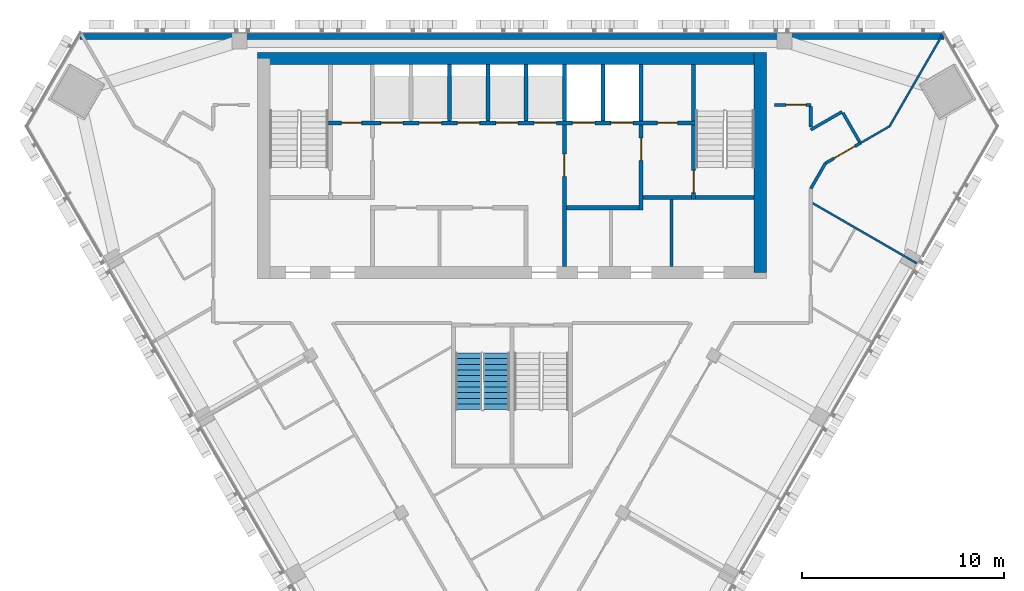
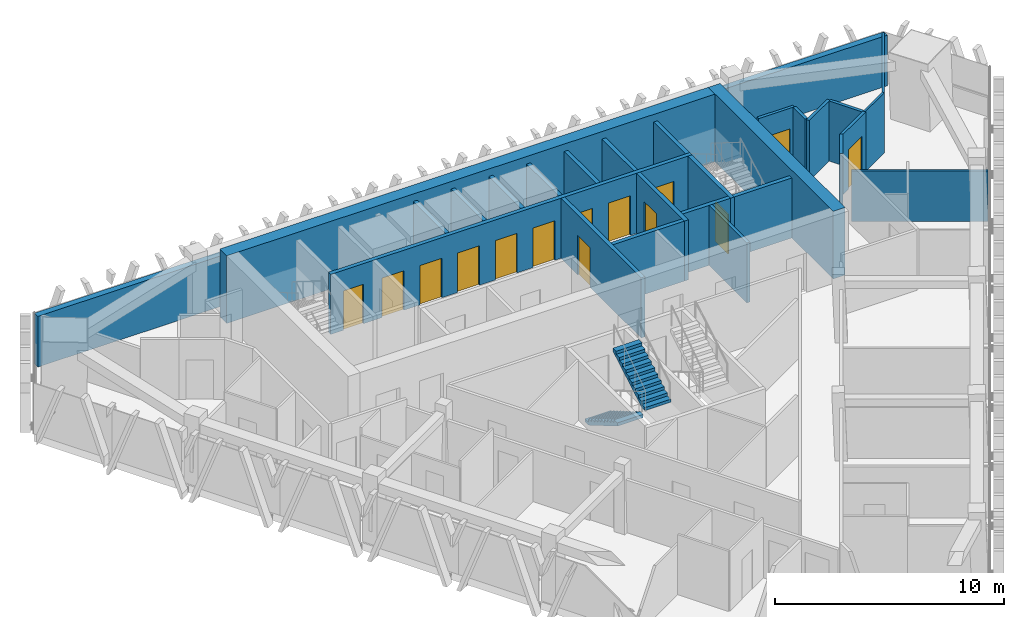
# One storey, part 10 of 14: 27 walls, 14 doors, 2 stair flights, 14 openings, 1 element without a shape of its own.
"""IFC4 building model written with IfcOpenShell, lengths in metres."""

from ifc_helpers import new_model, si_unit, direction, frame, frame_2d, origin, place, context, subcontext, project, spatial, polyline, rectangle, outline, extrude, material, layer, layer_set, type_object, element, fill, aggregate, save


model = new_model("IFC4")

# Units and contexts
model_context = context("Model", 3, precision=1e-05, world=origin(), true_north=direction((0.0, 1.0)))
body_context = subcontext(model_context, "Body", "Model", "MODEL_VIEW")
ifc_project = project(units=[si_unit("LENGTHUNIT", "METRE"), si_unit("AREAUNIT", "SQUARE_METRE"), si_unit("VOLUMEUNIT", "CUBIC_METRE"), si_unit("PLANEANGLEUNIT", "RADIAN"), si_unit("MASSUNIT", "GRAM", prefix="KILO")], contexts=[model_context])

# Site, building, storey
site_placement = place(None, origin())
site = spatial("IfcSite", under=ifc_project, at=site_placement, CompositionType="ELEMENT")
building_placement = place(site_placement, origin())
building = spatial("IfcBuilding", under=site, at=building_placement, Name="Altiplano Prism Tower", CompositionType="ELEMENT")
storey_placement = place(building_placement, frame((0.0, 0.0, 242.800048828125)))
storey = spatial("IfcBuildingStorey", under=building, at=storey_placement, Name="L62", CompositionType="ELEMENT", Elevation=242.800048828125)

# Walls
ifc_material_1 = material(Name="Concrete C60/75", Category="concrete")
ifc_layer_1 = layer(ifc_material_1, 0.60009765625)
ifc_layer_set_1 = layer_set([ifc_layer_1], Name="Concrete C60/75")
wall_type_1 = type_object("IfcWallType", Name="Core wall 600", PredefinedType="SHEAR", material=ifc_layer_set_1)
wall_1_placement = place(storey_placement, frame((97.300048828125, 93.10009765625, 0.0), z_axis=(0.0, 0.0, 1.0), x_axis=(0.0, 1.0, 0.0)))
element("IfcWall", 1, at=wall_1_placement, inside=storey, type_object=wall_type_1, Name="Core wall E L62", PredefinedType="SHEAR", context=body_context, shape_type="SweptSolid", body=[
    extrude(rectangle(XDim=10.89990234375, YDim=0.60009765625, at=frame_2d((5.449951171875, 0.0))), origin(), (0.0, 0.0, 1.0), 3.599853515625),
])
wall_2_placement = place(storey_placement, frame((97.300048828125, 103.699951171875, 0.0), z_axis=(0.0, 0.0, 1.0), x_axis=(-1.0, 0.0, 0.0)))
element("IfcWall", 2, at=wall_2_placement, inside=storey, type_object=wall_type_1, Name="Core wall N L62", PredefinedType="SHEAR", context=body_context, shape_type="SweptSolid", body=[
    extrude(rectangle(XDim=24.900146484375, YDim=0.60009765625, at=frame_2d((12.4501953125, 0.0))), origin(), (0.0, 0.0, 1.0), 3.599853515625),
])
ifc_material_2 = material(Name="Plasterboard on steel stud", Category="steel")
ifc_layer_2 = layer(ifc_material_2, 0.10009765625)
ifc_layer_set_2 = layer_set([ifc_layer_2], Name="Plasterboard on steel stud")
wall_type_2 = type_object("IfcWallType", Name="Partition 100 wet", PredefinedType="PARTITIONING", material=ifc_layer_set_2)
wall_3_placement = place(storey_placement, frame((105.054931640625, 93.54638671875, 0.0), z_axis=(0.0, 0.0, 1.0), x_axis=(-0.866020980388, 0.500007661469, 0.0)))
element("IfcWall", 3, at=wall_3_placement, inside=storey, type_object=wall_type_2, Name="Partition P03 L62 058", PredefinedType="PARTITIONING", context=body_context, shape_type="SweptSolid", body=[
    extrude(rectangle(XDim=5.95263671875, YDim=0.10009765625, at=frame_2d((2.976318359375, 0.0))), origin(), (0.0, 0.0, 1.0), 2.699951171875),
])
wall_4_placement = place(storey_placement, frame((106.33935546875, 104.89990234375, 0.0), z_axis=(0.0, 0.0, 1.0), x_axis=(-0.499995114243, -0.866028224559, 0.0)))
element("IfcWall", 4, at=wall_4_placement, inside=storey, type_object=wall_type_2, Name="Partition P03 L62 059", PredefinedType="PARTITIONING", context=body_context, shape_type="SweptSolid", body=[
    extrude(rectangle(XDim=5.2705078125, YDim=0.10009765625, at=frame_2d((2.63525390625, 0.0))), origin(), (0.0, 0.0, 1.0), 2.699951171875),
])
wall_5_placement = place(storey_placement, frame((103.7041015625, 100.33544921875, 0.0), z_axis=(0.0, 0.0, 1.0), x_axis=(-0.866059082011, -0.499941663064, 0.0)))
element("IfcWall", 5, at=wall_5_placement, inside=storey, type_object=wall_type_2, Name="Partition P03 L62 060", PredefinedType="PARTITIONING", context=body_context, shape_type="SweptSolid", body=[
    extrude(rectangle(XDim=1.671142578125, YDim=0.10009765625, at=frame_2d((0.83544921875, 0.0))), origin(), (0.0, 0.0, 1.0), 3.199951171875),
])
ifc_layer_3 = layer(ifc_material_2, 0.14990234375)
ifc_layer_set_3 = layer_set([ifc_layer_3], Name="Plasterboard on steel stud")
wall_type_3 = type_object("IfcWallType", Name="Partition 150 corridor", PredefinedType="PARTITIONING", material=ifc_layer_set_3)
wall_6_placement = place(storey_placement, frame((99.800048828125, 97.244384765625, 0.0), z_axis=(0.0, 0.0, 1.0), x_axis=(0.499960540515, 0.86604818453, 0.0)))
element("IfcWall", 6, at=wall_6_placement, inside=storey, type_object=wall_type_3, Name="Partition P06 L62 011", PredefinedType="PARTITIONING", context=body_context, shape_type="SweptSolid", body=[
    extrude(rectangle(XDim=1.44970703125, YDim=0.14990234375, at=frame_2d((0.724853515625, 0.0))), origin(), (0.0, 0.0, 1.0), 3.199951171875),
])

# Wall, opening, door
wall_7_placement = place(storey_placement, frame((100.52490234375, 98.5, 0.0), z_axis=(0.0, 0.0, 1.0), x_axis=(0.866010470582, 0.500025864173, 0.0)))
wall_7 = element("IfcWall", 7, at=wall_7_placement, inside=storey, type_object=wall_type_3, Name="Partition P06 L62 012", PredefinedType="PARTITIONING", context=body_context, shape_type="SweptSolid", body=[
    extrude(rectangle(XDim=2.02001953125, YDim=0.14990234375, at=frame_2d((1.010009765625, 0.0))), origin(), (0.0, 0.0, 1.0), 3.199951171875),
])
opening_1_placement = place(wall_7_placement, frame((0.4990234375, 0.0, 0.0)))
opening_1 = element("IfcOpeningElement", 8, at=opening_1_placement, cuts=wall_7, Name="Opening D2042", PredefinedType="OPENING", context=body_context, shape_type="SweptSolid", body=[
    extrude(rectangle(XDim=1.199951171875, YDim=2.10009765625, at=frame_2d((0.60009765625, 1.050048828125))), frame((0.0, 0.08544921875, 0.0), z_axis=(0.0, -1.0, 0.0), x_axis=(1.0, 0.0, 0.0)), (0.0, 0.0, 1.0), 0.1708984375),
])
ifc_material_3 = material(Name="Timber", Category="wood")
door_type_1 = type_object("IfcDoorType", Name="Shared room door 1200 x 2100", OperationType="NOTDEFINED", PredefinedType="NOTDEFINED", material=ifc_material_3)
door_1_placement = place(opening_1_placement, origin())
door_1 = element("IfcDoor", 9, at=door_1_placement, inside=storey, type_object=door_type_1, Name="Door D2042", OperationType="SINGLE_SWING_RIGHT", OverallHeight=2.10009765625, OverallWidth=1.199951171875, PredefinedType="NOTDEFINED", context=body_context, shape_type="SweptSolid", body=[
    extrude(rectangle(XDim=1.199951171875, YDim=2.10009765625, at=frame_2d((0.60009765625, 1.050048828125))), frame((0.0, 0.02490234375, 0.0), z_axis=(0.0, -1.0, 0.0), x_axis=(1.0, 0.0, 0.0)), (0.0, 0.0, 1.0), 0.050048828125),
])
fill(opening_1, door_1)

# Walls
wall_8_placement = place(storey_placement, frame((102.219482421875, 99.56494140625, 0.0), z_axis=(0.0, 0.0, 1.0), x_axis=(-0.499974350878, 0.866040211805, 0.0)))
element("IfcWall", 10, at=wall_8_placement, inside=storey, type_object=wall_type_3, Name="Partition P06 L62 017", PredefinedType="PARTITIONING", context=body_context, shape_type="SweptSolid", body=[
    extrude(rectangle(XDim=1.64990234375, YDim=0.14990234375, at=frame_2d((0.824951171875, 0.0))), origin(), (0.0, 0.0, 1.0), 3.199951171875),
])
wall_9_placement = place(storey_placement, frame((101.35693359375, 101.058837890625, 0.0), z_axis=(0.0, 0.0, 1.0), x_axis=(-0.866011447264, -0.500024172624, 0.0)))
element("IfcWall", 11, at=wall_9_placement, inside=storey, type_object=wall_type_3, Name="Partition P06 L62 018", PredefinedType="PARTITIONING", context=body_context, shape_type="SweptSolid", body=[
    extrude(rectangle(XDim=1.7978515625, YDim=0.14990234375, at=frame_2d((0.89892578125, 0.0))), origin(), (0.0, 0.0, 1.0), 3.199951171875),
])
wall_10_placement = place(storey_placement, frame((99.800048828125, 100.289794921875, 0.0), z_axis=(0.0, 0.0, 1.0), x_axis=(0.0, 1.0, 0.0)))
element("IfcWall", 12, at=wall_10_placement, inside=storey, type_object=wall_type_3, Name="Partition P06 L62 019", PredefinedType="PARTITIONING", context=body_context, shape_type="SweptSolid", body=[
    extrude(rectangle(XDim=1.03515625, YDim=0.14990234375, at=frame_2d((0.517578125, 0.0))), origin(), (0.0, 0.0, 1.0), 3.199951171875),
])

# Wall, opening, door
wall_11_placement = place(storey_placement, frame((99.800048828125, 101.39990234375, 0.0), z_axis=(0.0, 0.0, 1.0), x_axis=(-1.0, 0.0, 0.0)))
wall_11 = element("IfcWall", 13, at=wall_11_placement, inside=storey, type_object=wall_type_3, Name="Partition P06 L62 020", PredefinedType="PARTITIONING", context=body_context, shape_type="SweptSolid", body=[
    extrude(rectangle(XDim=1.800048828125, YDim=0.14990234375, at=frame_2d((0.89990234375, 0.0))), origin(), (0.0, 0.0, 1.0), 3.199951171875),
])
opening_2_placement = place(wall_11_placement, frame((0.23388671875, 0.0, 0.0)))
opening_2 = element("IfcOpeningElement", 14, at=opening_2_placement, cuts=wall_11, Name="Opening D2044", PredefinedType="OPENING", context=body_context, shape_type="SweptSolid", body=[
    extrude(rectangle(XDim=1.0, YDim=2.10009765625, at=frame_2d((0.5, 1.050048828125))), frame((0.0, 0.08544921875, 0.0), z_axis=(0.0, -1.0, 0.0), x_axis=(1.0, 0.0, 0.0)), (0.0, 0.0, 1.0), 0.1708984375),
])
door_type_2 = type_object("IfcDoorType", Name="Room door 1000 x 2100", OperationType="NOTDEFINED", PredefinedType="NOTDEFINED", material=ifc_material_3)
door_2_placement = place(opening_2_placement, origin())
door_2 = element("IfcDoor", 15, at=door_2_placement, inside=storey, type_object=door_type_2, Name="Door D2044", OperationType="SINGLE_SWING_RIGHT", OverallHeight=2.10009765625, OverallWidth=1.0, PredefinedType="NOTDEFINED", context=body_context, shape_type="SweptSolid", body=[
    extrude(rectangle(XDim=1.0, YDim=2.10009765625, at=frame_2d((0.5, 1.050048828125))), frame((0.0, 0.02490234375, 0.0), z_axis=(0.0, -1.0, 0.0), x_axis=(1.0, 0.0, 0.0)), (0.0, 0.0, 1.0), 0.050048828125),
])
fill(opening_2, door_2)

# Walls
ifc_material_4 = material(Name="Fire-rated gypsum board partition")
ifc_layer_4 = layer(ifc_material_4, 0.14990234375)
ifc_layer_set_4 = layer_set([ifc_layer_4], Name="Fire-rated gypsum board partition")
wall_type_4 = type_object("IfcWallType", Name="Room partition 150", PredefinedType="PARTITIONING", material=ifc_layer_set_4)
wall_12_placement = place(storey_placement, frame((92.89990234375, 93.39990234375, 0.0), z_axis=(0.0, 0.0, 1.0), x_axis=(0.0, 1.0, 0.0)))
element("IfcWall", 16, at=wall_12_placement, inside=storey, type_object=wall_type_4, Name="Room partition L62", PredefinedType="PARTITIONING", context=body_context, shape_type="SweptSolid", body=[
    extrude(rectangle(XDim=3.300048828125, YDim=0.14990234375, at=frame_2d((1.64990234375, 0.0))), origin(), (0.0, 0.0, 1.0), 3.199951171875),
])
ifc_layer_5 = layer(ifc_material_1, 0.199951171875)
ifc_layer_set_5 = layer_set([ifc_layer_5], Name="Concrete C60/75")
wall_type_5 = type_object("IfcWallType", Name="Shaft wall 200", PredefinedType="SOLIDWALL", material=ifc_layer_set_5)
for number, where, z_axis, x_axis, name in (
    (17, (81.89990234375, 100.60009765625, 0.0), (0.0, 0.0, 1.0), (0.0, 1.0, 0.0), "Shaft wall L62"),
    (18, (83.800048828125, 100.60009765625, 0.0), (0.0, 0.0, 1.0), (0.0, 1.0, 0.0), "Shaft wall L62"),
    (19, (85.699951171875, 100.60009765625, 0.0), (0.0, 0.0, 1.0), (0.0, 1.0, 0.0), "Shaft wall L62"),
    (20, (87.60009765625, 100.60009765625, 0.0), (0.0, 0.0, 1.0), (0.0, 1.0, 0.0), "Shaft wall L62"),
    (21, (89.5, 100.60009765625, 0.0), (0.0, 0.0, 1.0), (0.0, 1.0, 0.0), "Shaft wall L62"),
    (22, (91.39990234375, 100.60009765625, 0.0), (0.0, 0.0, 1.0), (0.0, 1.0, 0.0), "Shaft wall L62"),
):
    element("IfcWall", number, at=place(storey_placement, frame(where, z_axis=z_axis, x_axis=x_axis)), inside=storey, type_object=wall_type_5, Name=name, PredefinedType="SOLIDWALL", context=body_context, shape_type="SweptSolid", body=[
        extrude(rectangle(XDim=2.7998046875, YDim=0.199951171875, at=frame_2d((1.39990234375, 0.0))), origin(), (0.0, 0.0, 1.0), 3.199951171875),
    ])

# Wall, opening, door
ifc_layer_6 = layer(ifc_material_1, 0.199951171875)
ifc_layer_set_6 = layer_set([ifc_layer_6], Name="Concrete C60/75")
wall_type_6 = type_object("IfcWallType", Name="Stair wall 200", PredefinedType="SOLIDWALL", material=ifc_layer_set_6)
wall_13_placement = place(storey_placement, frame((94.0, 96.699951171875, 0.0), z_axis=(0.0, 0.0, 1.0), x_axis=(0.0, 1.0, 0.0)))
wall_13 = element("IfcWall", 23, at=wall_13_placement, inside=storey, type_object=wall_type_6, Name="Stair wall L62", PredefinedType="SOLIDWALL", context=body_context, shape_type="SweptSolid", body=[
    extrude(rectangle(XDim=3.699951171875, YDim=0.199951171875, at=frame_2d((1.85009765625, 0.0))), origin(), (0.0, 0.0, 1.0), 3.199951171875),
])
opening_3_placement = place(wall_13_placement, frame((0.35009765625, 0.0, 0.0)))
opening_3 = element("IfcOpeningElement", 24, at=opening_3_placement, cuts=wall_13, Name="Opening D3443", PredefinedType="OPENING", context=body_context, shape_type="SweptSolid", body=[
    extrude(rectangle(XDim=1.10009765625, YDim=2.10009765625, at=frame_2d((0.550048828125, 1.050048828125))), frame((0.0, 0.1103515625, 0.0), z_axis=(0.0, -1.0, 0.0), x_axis=(1.0, 0.0, 0.0)), (0.0, 0.0, 1.0), 0.220947265625),
])
ifc_material_5 = material(Name="Fire-rated steel door", Category="steel")
door_type_3 = type_object("IfcDoorType", Name="Stair fire door 1100 x 2100", OperationType="NOTDEFINED", PredefinedType="NOTDEFINED", material=ifc_material_5)
door_3_placement = place(opening_3_placement, origin())
door_3 = element("IfcDoor", 25, at=door_3_placement, inside=storey, type_object=door_type_3, Name="Stair fire door D3443", OperationType="SINGLE_SWING_LEFT", OverallHeight=2.10009765625, OverallWidth=1.10009765625, PredefinedType="NOTDEFINED", context=body_context, shape_type="SweptSolid", body=[
    extrude(rectangle(XDim=1.10009765625, YDim=2.10009765625, at=frame_2d((0.550048828125, 1.050048828125))), frame((0.0, 0.02490234375, 0.0), z_axis=(0.0, -1.0, 0.0), x_axis=(1.0, 0.0, 0.0)), (0.0, 0.0, 1.0), 0.050048828125),
])
fill(opening_3, door_3)

# Wall
wall_14_placement = place(storey_placement, frame((94.10009765625, 96.800048828125, 0.0), z_axis=(0.0, 0.0, 1.0), x_axis=(1.0, 0.0, 0.0)))
element("IfcWall", 26, at=wall_14_placement, inside=storey, type_object=wall_type_6, Name="Stair wall L62", PredefinedType="SOLIDWALL", context=body_context, shape_type="SweptSolid", body=[
    extrude(rectangle(XDim=2.89990234375, YDim=0.199951171875, at=frame_2d((1.449951171875, 0.0))), origin(), (0.0, 0.0, 1.0), 3.199951171875),
])

# Wall, openings, doors
wall_15_placement = place(storey_placement, frame((75.89990234375, 100.5, 0.0), z_axis=(0.0, 0.0, 1.0), x_axis=(1.0, 0.0, 0.0)))
wall_15 = element("IfcWall", 27, at=wall_15_placement, inside=storey, type_object=wall_type_6, Name="Stair wall L62", PredefinedType="SOLIDWALL", context=body_context, shape_type="SweptSolid", body=[
    extrude(rectangle(XDim=18.2001953125, YDim=0.199951171875, at=frame_2d((9.10009765625, 0.0))), origin(), (0.0, 0.0, 1.0), 3.199951171875),
])
opening_4_placement = place(wall_15_placement, frame((2.60009765625, 0.0, 0.0)))
opening_4 = element("IfcOpeningElement", 28, at=opening_4_placement, cuts=wall_15, Name="Opening LD-HL1-L62", PredefinedType="OPENING", context=body_context, shape_type="SweptSolid", body=[
    extrude(rectangle(XDim=1.10009765625, YDim=2.10009765625, at=frame_2d((0.550048828125, 1.050048828125))), frame((0.0, 0.1103515625, 0.0), z_axis=(0.0, -1.0, 0.0), x_axis=(1.0, 0.0, 0.0)), (0.0, 0.0, 1.0), 0.220947265625),
])
opening_5_placement = place(wall_15_placement, frame((4.5, 0.0, 0.0)))
opening_5 = element("IfcOpeningElement", 29, at=opening_5_placement, cuts=wall_15, Name="Opening LD-HL2-L62", PredefinedType="OPENING", context=body_context, shape_type="SweptSolid", body=[
    extrude(rectangle(XDim=1.10009765625, YDim=2.10009765625, at=frame_2d((0.550048828125, 1.050048828125))), frame((0.0, 0.1103515625, 0.0), z_axis=(0.0, -1.0, 0.0), x_axis=(1.0, 0.0, 0.0)), (0.0, 0.0, 1.0), 0.220947265625),
])
opening_6_placement = place(wall_15_placement, frame((6.39990234375, 0.0, 0.0)))
opening_6 = element("IfcOpeningElement", 30, at=opening_6_placement, cuts=wall_15, Name="Opening LD-HL3-L62", PredefinedType="OPENING", context=body_context, shape_type="SweptSolid", body=[
    extrude(rectangle(XDim=1.10009765625, YDim=2.10009765625, at=frame_2d((0.550048828125, 1.050048828125))), frame((0.0, 0.1103515625, 0.0), z_axis=(0.0, -1.0, 0.0), x_axis=(1.0, 0.0, 0.0)), (0.0, 0.0, 1.0), 0.220947265625),
])
opening_7_placement = place(wall_15_placement, frame((8.300048828125, 0.0, 0.0)))
opening_7 = element("IfcOpeningElement", 31, at=opening_7_placement, cuts=wall_15, Name="Opening LD-HL4-L62", PredefinedType="OPENING", context=body_context, shape_type="SweptSolid", body=[
    extrude(rectangle(XDim=1.10009765625, YDim=2.10009765625, at=frame_2d((0.550048828125, 1.050048828125))), frame((0.0, 0.1103515625, 0.0), z_axis=(0.0, -1.0, 0.0), x_axis=(1.0, 0.0, 0.0)), (0.0, 0.0, 1.0), 0.220947265625),
])
opening_8_placement = place(wall_15_placement, frame((10.199951171875, 0.0, 0.0)))
opening_8 = element("IfcOpeningElement", 32, at=opening_8_placement, cuts=wall_15, Name="Opening LD-HL5-L62", PredefinedType="OPENING", context=body_context, shape_type="SweptSolid", body=[
    extrude(rectangle(XDim=1.10009765625, YDim=2.10009765625, at=frame_2d((0.550048828125, 1.050048828125))), frame((0.0, 0.1103515625, 0.0), z_axis=(0.0, -1.0, 0.0), x_axis=(1.0, 0.0, 0.0)), (0.0, 0.0, 1.0), 0.220947265625),
])
opening_9_placement = place(wall_15_placement, frame((12.10009765625, 0.0, 0.0)))
opening_9 = element("IfcOpeningElement", 33, at=opening_9_placement, cuts=wall_15, Name="Opening LD-FF1-L62", PredefinedType="OPENING", context=body_context, shape_type="SweptSolid", body=[
    extrude(rectangle(XDim=1.10009765625, YDim=2.10009765625, at=frame_2d((0.550048828125, 1.050048828125))), frame((0.0, 0.1103515625, 0.0), z_axis=(0.0, -1.0, 0.0), x_axis=(1.0, 0.0, 0.0)), (0.0, 0.0, 1.0), 0.220947265625),
])
opening_10_placement = place(wall_15_placement, frame((14.0, 0.0, 0.0)))
opening_10 = element("IfcOpeningElement", 34, at=opening_10_placement, cuts=wall_15, Name="Opening LD-FF2-L62", PredefinedType="OPENING", context=body_context, shape_type="SweptSolid", body=[
    extrude(rectangle(XDim=1.10009765625, YDim=2.10009765625, at=frame_2d((0.550048828125, 1.050048828125))), frame((0.0, 0.1103515625, 0.0), z_axis=(0.0, -1.0, 0.0), x_axis=(1.0, 0.0, 0.0)), (0.0, 0.0, 1.0), 0.220947265625),
])
opening_11_placement = place(wall_15_placement, frame((0.64990234375, 0.0, 0.0)))
opening_11 = element("IfcOpeningElement", 35, at=opening_11_placement, cuts=wall_15, Name="Opening D3450", PredefinedType="OPENING", context=body_context, shape_type="SweptSolid", body=[
    extrude(rectangle(XDim=1.0, YDim=2.10009765625, at=frame_2d((0.5, 1.050048828125))), frame((0.0, 0.1103515625, 0.0), z_axis=(0.0, -1.0, 0.0), x_axis=(1.0, 0.0, 0.0)), (0.0, 0.0, 1.0), 0.220947265625),
])
opening_12_placement = place(wall_15_placement, frame((16.300048828125, 0.0, 0.0)))
opening_12 = element("IfcOpeningElement", 36, at=opening_12_placement, cuts=wall_15, Name="Opening D3451", PredefinedType="OPENING", context=body_context, shape_type="SweptSolid", body=[
    extrude(rectangle(XDim=1.0, YDim=2.10009765625, at=frame_2d((0.5, 1.050048828125))), frame((0.0, 0.1103515625, 0.0), z_axis=(0.0, -1.0, 0.0), x_axis=(1.0, 0.0, 0.0)), (0.0, 0.0, 1.0), 0.220947265625),
])
door_type_4 = type_object("IfcDoorType", Name="Core room door 1000 x 2100", OperationType="NOTDEFINED", PredefinedType="NOTDEFINED", material=ifc_material_5)
door_4_placement = place(opening_11_placement, origin())
door_4 = element("IfcDoor", 37, at=door_4_placement, inside=storey, type_object=door_type_4, Name="Core room door D3450", OperationType="SINGLE_SWING_LEFT", OverallHeight=2.10009765625, OverallWidth=1.0, PredefinedType="NOTDEFINED", context=body_context, shape_type="SweptSolid", body=[
    extrude(rectangle(XDim=1.0, YDim=2.10009765625, at=frame_2d((0.5, 1.050048828125))), frame((0.0, 0.02490234375, 0.0), z_axis=(0.0, -1.0, 0.0), x_axis=(1.0, 0.0, 0.0)), (0.0, 0.0, 1.0), 0.050048828125),
])
fill(opening_11, door_4)
door_5_placement = place(opening_12_placement, origin())
door_5 = element("IfcDoor", 38, at=door_5_placement, inside=storey, type_object=door_type_4, Name="Core room door D3451", OperationType="SINGLE_SWING_RIGHT", OverallHeight=2.10009765625, OverallWidth=1.0, PredefinedType="NOTDEFINED", context=body_context, shape_type="SweptSolid", body=[
    extrude(rectangle(XDim=1.0, YDim=2.10009765625, at=frame_2d((0.5, 1.050048828125))), frame((0.0, 0.02490234375, 0.0), z_axis=(0.0, -1.0, 0.0), x_axis=(1.0, 0.0, 0.0)), (0.0, 0.0, 1.0), 0.050048828125),
])
fill(opening_12, door_5)
ifc_material_6 = material(Name="Stainless steel landing door", Category="steel")
door_type_5 = type_object("IfcDoorType", Name="Landing door 1100 x 2100", OperationType="NOTDEFINED", PredefinedType="NOTDEFINED", material=ifc_material_6)
door_6_placement = place(opening_4_placement, origin())
door_6 = element("IfcDoor", 39, at=door_6_placement, inside=storey, type_object=door_type_5, Name="Landing doors HL1", OperationType="SLIDING_TO_RIGHT", OverallHeight=2.10009765625, OverallWidth=1.10009765625, PredefinedType="NOTDEFINED", context=body_context, shape_type="SweptSolid", body=[
    extrude(rectangle(XDim=1.10009765625, YDim=2.10009765625, at=frame_2d((0.550048828125, 1.050048828125))), frame((0.0, 0.02490234375, 0.0), z_axis=(0.0, -1.0, 0.0), x_axis=(1.0, 0.0, 0.0)), (0.0, 0.0, 1.0), 0.050048828125),
])
fill(opening_4, door_6)
door_7_placement = place(opening_5_placement, origin())
door_7 = element("IfcDoor", 40, at=door_7_placement, inside=storey, type_object=door_type_5, Name="Landing doors HL2", OperationType="SLIDING_TO_LEFT", OverallHeight=2.10009765625, OverallWidth=1.10009765625, PredefinedType="NOTDEFINED", context=body_context, shape_type="SweptSolid", body=[
    extrude(rectangle(XDim=1.10009765625, YDim=2.10009765625, at=frame_2d((0.550048828125, 1.050048828125))), frame((0.0, 0.02490234375, 0.0), z_axis=(0.0, -1.0, 0.0), x_axis=(1.0, 0.0, 0.0)), (0.0, 0.0, 1.0), 0.050048828125),
])
fill(opening_5, door_7)
door_8_placement = place(opening_6_placement, origin())
door_8 = element("IfcDoor", 41, at=door_8_placement, inside=storey, type_object=door_type_5, Name="Landing doors HL3", OperationType="SLIDING_TO_RIGHT", OverallHeight=2.10009765625, OverallWidth=1.10009765625, PredefinedType="NOTDEFINED", context=body_context, shape_type="SweptSolid", body=[
    extrude(rectangle(XDim=1.10009765625, YDim=2.10009765625, at=frame_2d((0.550048828125, 1.050048828125))), frame((0.0, 0.02490234375, 0.0), z_axis=(0.0, -1.0, 0.0), x_axis=(1.0, 0.0, 0.0)), (0.0, 0.0, 1.0), 0.050048828125),
])
fill(opening_6, door_8)
door_9_placement = place(opening_7_placement, origin())
door_9 = element("IfcDoor", 42, at=door_9_placement, inside=storey, type_object=door_type_5, Name="Landing doors HL4", OperationType="SLIDING_TO_LEFT", OverallHeight=2.10009765625, OverallWidth=1.10009765625, PredefinedType="NOTDEFINED", context=body_context, shape_type="SweptSolid", body=[
    extrude(rectangle(XDim=1.10009765625, YDim=2.10009765625, at=frame_2d((0.550048828125, 1.050048828125))), frame((0.0, 0.02490234375, 0.0), z_axis=(0.0, -1.0, 0.0), x_axis=(1.0, 0.0, 0.0)), (0.0, 0.0, 1.0), 0.050048828125),
])
fill(opening_7, door_9)
door_10_placement = place(opening_8_placement, origin())
door_10 = element("IfcDoor", 43, at=door_10_placement, inside=storey, type_object=door_type_5, Name="Landing doors HL5", OperationType="SLIDING_TO_RIGHT", OverallHeight=2.10009765625, OverallWidth=1.10009765625, PredefinedType="NOTDEFINED", context=body_context, shape_type="SweptSolid", body=[
    extrude(rectangle(XDim=1.10009765625, YDim=2.10009765625, at=frame_2d((0.550048828125, 1.050048828125))), frame((0.0, 0.02490234375, 0.0), z_axis=(0.0, -1.0, 0.0), x_axis=(1.0, 0.0, 0.0)), (0.0, 0.0, 1.0), 0.050048828125),
])
fill(opening_8, door_10)
door_11_placement = place(opening_9_placement, origin())
door_11 = element("IfcDoor", 44, at=door_11_placement, inside=storey, type_object=door_type_5, Name="Landing doors FF1", OperationType="SLIDING_TO_RIGHT", OverallHeight=2.10009765625, OverallWidth=1.10009765625, PredefinedType="NOTDEFINED", context=body_context, shape_type="SweptSolid", body=[
    extrude(rectangle(XDim=1.10009765625, YDim=2.10009765625, at=frame_2d((0.550048828125, 1.050048828125))), frame((0.0, 0.02490234375, 0.0), z_axis=(0.0, -1.0, 0.0), x_axis=(1.0, 0.0, 0.0)), (0.0, 0.0, 1.0), 0.050048828125),
])
fill(opening_9, door_11)
door_12_placement = place(opening_10_placement, origin())
door_12 = element("IfcDoor", 45, at=door_12_placement, inside=storey, type_object=door_type_5, Name="Landing doors FF2", OperationType="SLIDING_TO_LEFT", OverallHeight=2.10009765625, OverallWidth=1.10009765625, PredefinedType="NOTDEFINED", context=body_context, shape_type="SweptSolid", body=[
    extrude(rectangle(XDim=1.10009765625, YDim=2.10009765625, at=frame_2d((0.550048828125, 1.050048828125))), frame((0.0, 0.02490234375, 0.0), z_axis=(0.0, -1.0, 0.0), x_axis=(1.0, 0.0, 0.0)), (0.0, 0.0, 1.0), 0.050048828125),
])
fill(opening_10, door_12)

# Walls
wall_16_placement = place(storey_placement, frame((94.0, 100.60009765625, 0.0), z_axis=(0.0, 0.0, 1.0), x_axis=(0.0, 1.0, 0.0)))
element("IfcWall", 46, at=wall_16_placement, inside=storey, type_object=wall_type_6, Name="Stair wall L62", PredefinedType="SOLIDWALL", context=body_context, shape_type="SweptSolid", body=[
    extrude(rectangle(XDim=2.7998046875, YDim=0.199951171875, at=frame_2d((1.39990234375, 0.0))), origin(), (0.0, 0.0, 1.0), 3.199951171875),
])
ifc_material_7 = material(Name="Concrete C40", Category="concrete")
ifc_layer_7 = layer(ifc_material_7, 0.300048828125)
ifc_layer_set_7 = layer_set([ifc_layer_7], Name="Concrete C40")
wall_type_7 = type_object("IfcWallType", Name="Stone-clad external wall 300", PredefinedType="SOLIDWALL", material=ifc_layer_set_7)
wall_17_placement = place(storey_placement, frame((63.602783203125, 104.7900390625, 0.0), z_axis=(0.0, 0.0, 1.0), x_axis=(1.0, 0.0, 0.0)))
element("IfcWall", 47, at=wall_17_placement, inside=storey, type_object=wall_type_7, Name="External wall north face L62", PredefinedType="SOLIDWALL", context=body_context, shape_type="SweptSolid", body=[
    extrude(rectangle(XDim=42.79443359375, YDim=0.300048828125, at=frame_2d((21.397216796875, 0.0))), origin(), (0.0, 0.0, 1.0), 2.699951171875),
])

# Wall, opening, door
ifc_layer_8 = layer(ifc_material_1, 0.199951171875)
ifc_layer_set_8 = layer_set([ifc_layer_8], Name="Concrete C60/75")
wall_type_8 = type_object("IfcWallType", Name="Vestibule wall 200", PredefinedType="PARTITIONING", material=ifc_layer_set_8)
wall_18_placement = place(storey_placement, frame((87.60009765625, 93.39990234375, 0.0), z_axis=(0.0, 0.0, 1.0), x_axis=(0.0, 1.0, 0.0)))
wall_18 = element("IfcWall", 48, at=wall_18_placement, inside=storey, type_object=wall_type_8, Name="Vestibule wall L62", PredefinedType="PARTITIONING", context=body_context, shape_type="SweptSolid", body=[
    extrude(rectangle(XDim=7.0, YDim=0.199951171875, at=frame_2d((3.5, 0.0))), origin(), (0.0, 0.0, 1.0), 3.199951171875),
])
opening_13_placement = place(wall_18_placement, frame((4.449951171875, 0.0, 0.0)))
opening_13 = element("IfcOpeningElement", 49, at=opening_13_placement, cuts=wall_18, Name="Opening D3445", PredefinedType="OPENING", context=body_context, shape_type="SweptSolid", body=[
    extrude(rectangle(XDim=1.10009765625, YDim=2.10009765625, at=frame_2d((0.550048828125, 1.050048828125))), frame((0.0, 0.1103515625, 0.0), z_axis=(0.0, -1.0, 0.0), x_axis=(1.0, 0.0, 0.0)), (0.0, 0.0, 1.0), 0.220947265625),
])
door_type_6 = type_object("IfcDoorType", Name="Vestibule fire door 1100 x 2100", OperationType="NOTDEFINED", PredefinedType="NOTDEFINED", material=ifc_material_5)
door_13_placement = place(opening_13_placement, origin())
door_13 = element("IfcDoor", 50, at=door_13_placement, inside=storey, type_object=door_type_6, Name="Vestibule fire door D3445", OperationType="SINGLE_SWING_RIGHT", OverallHeight=2.10009765625, OverallWidth=1.10009765625, PredefinedType="NOTDEFINED", context=body_context, shape_type="SweptSolid", body=[
    extrude(rectangle(XDim=1.10009765625, YDim=2.10009765625, at=frame_2d((0.550048828125, 1.050048828125))), frame((0.0, 0.02490234375, 0.0), z_axis=(0.0, -1.0, 0.0), x_axis=(1.0, 0.0, 0.0)), (0.0, 0.0, 1.0), 0.050048828125),
])
fill(opening_13, door_13)

# Wall
wall_19_placement = place(storey_placement, frame((87.699951171875, 96.300048828125, 0.0), z_axis=(0.0, 0.0, 1.0), x_axis=(1.0, 0.0, 0.0)))
element("IfcWall", 51, at=wall_19_placement, inside=storey, type_object=wall_type_8, Name="Vestibule wall L62", PredefinedType="PARTITIONING", context=body_context, shape_type="SweptSolid", body=[
    extrude(rectangle(XDim=3.60009765625, YDim=0.199951171875, at=frame_2d((1.800048828125, 0.0))), origin(), (0.0, 0.0, 1.0), 3.199951171875),
])

# Wall, opening, door
wall_20_placement = place(storey_placement, frame((91.39990234375, 96.199951171875, 0.0), z_axis=(0.0, 0.0, 1.0), x_axis=(0.0, 1.0, 0.0)))
wall_20 = element("IfcWall", 52, at=wall_20_placement, inside=storey, type_object=wall_type_8, Name="Vestibule wall L62", PredefinedType="PARTITIONING", context=body_context, shape_type="SweptSolid", body=[
    extrude(rectangle(XDim=4.199951171875, YDim=0.199951171875, at=frame_2d((2.10009765625, 0.0))), origin(), (0.0, 0.0, 1.0), 3.199951171875),
])
opening_14_placement = place(wall_20_placement, frame((2.449951171875, 0.0, 0.0)))
opening_14 = element("IfcOpeningElement", 53, at=opening_14_placement, cuts=wall_20, Name="Opening D3446", PredefinedType="OPENING", context=body_context, shape_type="SweptSolid", body=[
    extrude(rectangle(XDim=1.10009765625, YDim=2.10009765625, at=frame_2d((0.550048828125, 1.050048828125))), frame((0.0, 0.1103515625, 0.0), z_axis=(0.0, -1.0, 0.0), x_axis=(1.0, 0.0, 0.0)), (0.0, 0.0, 1.0), 0.220947265625),
])
door_14_placement = place(opening_14_placement, origin())
door_14 = element("IfcDoor", 54, at=door_14_placement, inside=storey, type_object=door_type_6, Name="Vestibule fire door D3446", OperationType="SINGLE_SWING_LEFT", OverallHeight=2.10009765625, OverallWidth=1.10009765625, PredefinedType="NOTDEFINED", context=body_context, shape_type="SweptSolid", body=[
    extrude(rectangle(XDim=1.10009765625, YDim=2.10009765625, at=frame_2d((0.550048828125, 1.050048828125))), frame((0.0, 0.02490234375, 0.0), z_axis=(0.0, -1.0, 0.0), x_axis=(1.0, 0.0, 0.0)), (0.0, 0.0, 1.0), 0.050048828125),
])
fill(opening_14, door_14)

# Wall
wall_21_placement = place(storey_placement, frame((91.5, 96.800048828125, 0.0), z_axis=(0.0, 0.0, 1.0), x_axis=(1.0, 0.0, 0.0)))
element("IfcWall", 55, at=wall_21_placement, inside=storey, type_object=wall_type_8, Name="Vestibule wall L62", PredefinedType="PARTITIONING", context=body_context, shape_type="SweptSolid", body=[
    extrude(rectangle(XDim=2.39990234375, YDim=0.199951171875, at=frame_2d((1.199951171875, 0.0))), origin(), (0.0, 0.0, 1.0), 3.199951171875),
])

# Stair, stair flights
ifc_material_8 = material(Name="Concrete C40/50", Category="concrete")
stair_type = type_object("IfcStairType", Name="Exit stair 1300", PredefinedType="HALF_TURN_STAIR", material=ifc_material_8)
stair_placement = place(storey_placement, origin())
stair = element("IfcStair", 56, at=stair_placement, inside=storey, type_object=stair_type, Name="L62 Exit Stair 3A", PredefinedType="HALF_TURN_STAIR")
stair_flight_type = type_object("IfcStairFlightType", Name="Stair flight concrete 150", PredefinedType="STRAIGHT", material=ifc_material_8)
stair_flight_1_placement = place(storey_placement, frame((82.85009765625, 89.10009765625, 0.0), z_axis=(0.0, 0.0, 1.0), x_axis=(0.0, -1.0, 0.0)))
stair_flight_1 = element("IfcStairFlight", 57, at=stair_flight_1_placement, type_object=stair_flight_type, Name="ST3A flight 1", NumberOfRisers=11, NumberOfTreads=10, PredefinedType="STRAIGHT", RiserHeight=0.163636364, TreadLength=0.28, context=body_context, shape_type="SweptSolid", body=[
    extrude(outline(polyline([(0.0, 0.0), (0.0, 0.16357421875), (0.280029296875, 0.16357421875), (0.280029296875, 0.327392578125), (0.56005859375, 0.327392578125), (0.56005859375, 0.490966796875), (0.840087890625, 0.490966796875), (0.840087890625, 0.654541015625), (1.1201171875, 0.654541015625), (1.1201171875, 0.818115234375), (1.39990234375, 0.818115234375), (1.39990234375, 0.98193359375), (1.679931640625, 0.98193359375), (1.679931640625, 1.1455078125), (1.9599609375, 1.1455078125), (1.9599609375, 1.30908203125), (2.239990234375, 1.30908203125), (2.239990234375, 1.47265625), (2.52001953125, 1.47265625), (2.52001953125, 1.636474609375), (2.800048828125, 1.636474609375), (2.800048828125, 1.800048828125), (2.800048828125, 1.462646484375), (0.297119140625, 0.0), (0.0, 0.0)])), frame((0.0, 0.64990234375, 0.0), z_axis=(0.0, -1.0, 0.0), x_axis=(1.0, 0.0, 0.0)), (0.0, 0.0, 1.0), 1.300048828125),
])
stair_flight_2_placement = place(storey_placement, frame((84.25, 86.300048828125, 1.800048828125), z_axis=(0.0, 0.0, 1.0), x_axis=(0.0, 1.0, 0.0)))
stair_flight_2 = element("IfcStairFlight", 58, at=stair_flight_2_placement, type_object=stair_flight_type, Name="ST3A flight 2", NumberOfRisers=11, NumberOfTreads=10, PredefinedType="STRAIGHT", RiserHeight=0.163636364, TreadLength=0.28, context=body_context, shape_type="SweptSolid", body=[
    extrude(outline(polyline([(0.0, 0.0), (0.0, 0.16357421875), (0.280029296875, 0.16357421875), (0.280029296875, 0.327392578125), (0.56005859375, 0.327392578125), (0.56005859375, 0.490966796875), (0.840087890625, 0.490966796875), (0.840087890625, 0.654541015625), (1.1201171875, 0.654541015625), (1.1201171875, 0.818115234375), (1.39990234375, 0.818115234375), (1.39990234375, 0.98193359375), (1.679931640625, 0.98193359375), (1.679931640625, 1.1455078125), (1.9599609375, 1.1455078125), (1.9599609375, 1.30908203125), (2.239990234375, 1.30908203125), (2.239990234375, 1.47265625), (2.52001953125, 1.47265625), (2.52001953125, 1.636474609375), (2.800048828125, 1.636474609375), (2.800048828125, 1.800048828125), (2.800048828125, 1.462646484375), (0.297119140625, 0.0), (0.0, 0.0)])), frame((0.0, 0.64990234375, 0.0), z_axis=(0.0, -1.0, 0.0), x_axis=(1.0, 0.0, 0.0)), (0.0, 0.0, 1.0), 1.300048828125),
])
aggregate(stair, [stair_flight_1, stair_flight_2])

save(model, "model.ifc")
